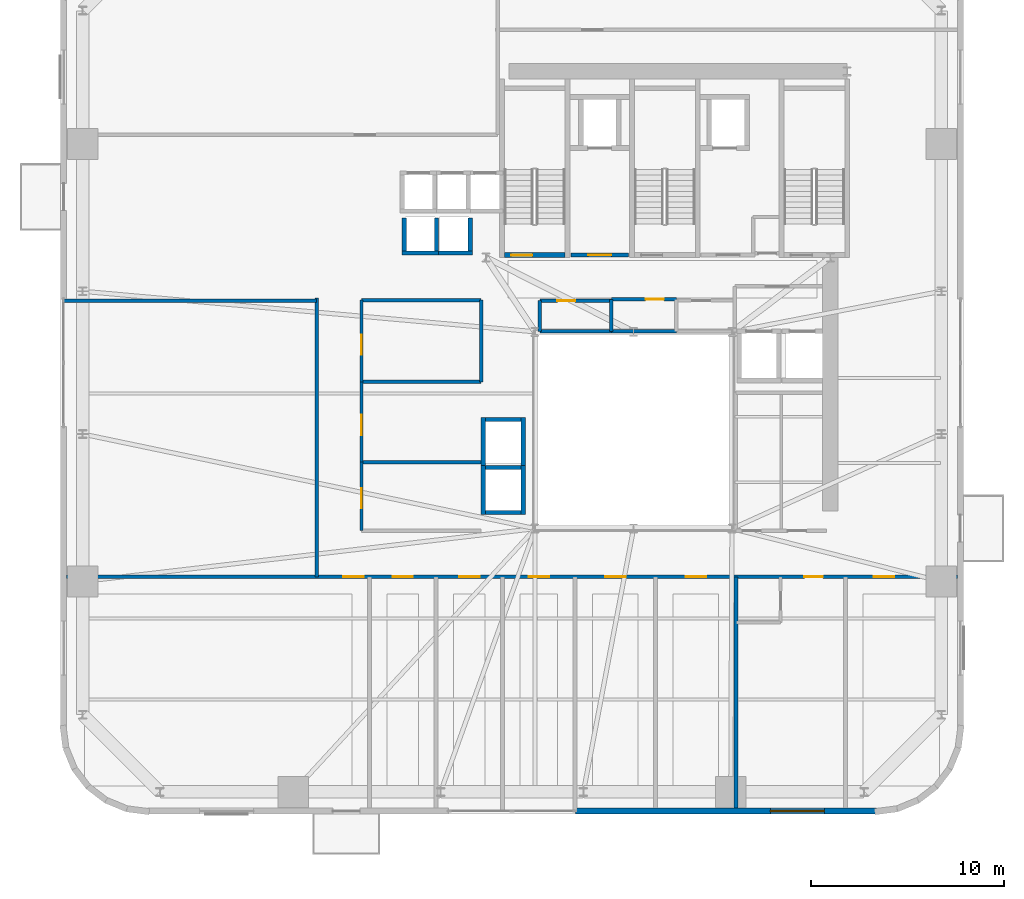
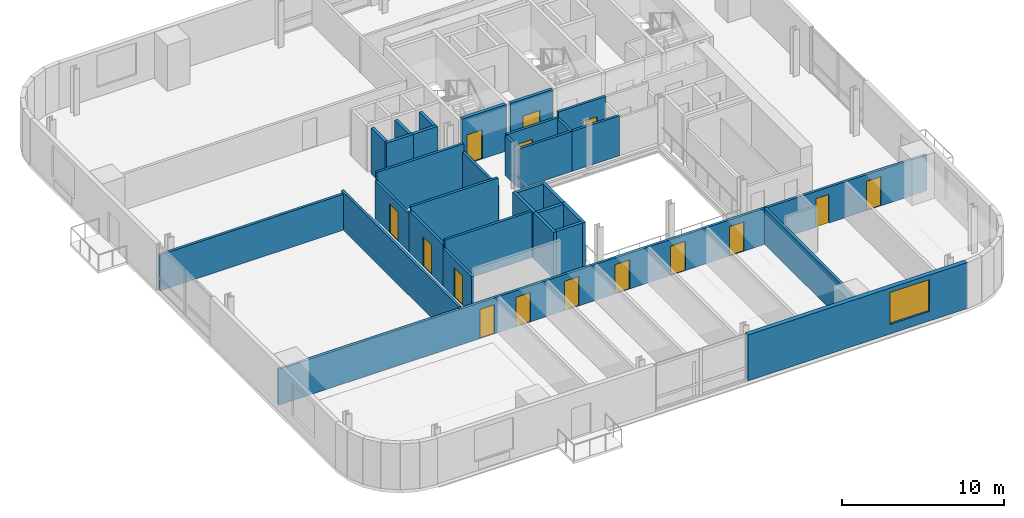
# One storey, part 6 of 14: 32 walls, 15 doors, 1 window, 16 openings.
"""IFC4 building model written with IfcOpenShell, lengths in metres."""

import ifcopenshell
import ifcopenshell.guid

model = None  # the IFC model being written
_history = None  # IfcOwnerHistory: only IFC2X3 demands one
_inside = {}  # id of a spatial element -> (the spatial element, [elements in it])
_under = {}  # id of a project, library or spatial element -> (it, [spatial elements below it])
_declared = {}  # id of a project -> (the project, [libraries it declares])
_typed = {}  # id of a type object -> (the type object, [elements of that type])
_made_of = {}  # id of a material, layer set ... -> (it, [elements and type objects made of it])


def new_model(schema):
    """Start an empty IFC model of exactly this schema.

    Asked for "IFC4X3", IfcOpenShell would pick the latest addendum, in which some entities
    have other attributes; the version numbers below select the first issue.
    IFC2X3 requires an IfcOwnerHistory on every rooted entity: one is made here for all.
    """
    global model, _history
    if schema == "IFC4X3":
        model = ifcopenshell.file(schema_version=(4, 3, 0, 0))
    else:
        model = ifcopenshell.file(schema=schema)
    _inside.clear()
    _under.clear()
    _declared.clear()
    _typed.clear()
    _made_of.clear()
    _history = None
    if model.schema == "IFC2X3":
        org = make("IfcOrganization", Name="unknown")
        user = make(
            "IfcPersonAndOrganization",
            ThePerson=make("IfcPerson", FamilyName="unknown"),
            TheOrganization=org,
        )
        app = make(
            "IfcApplication",
            ApplicationDeveloper=org,
            Version="unknown",
            ApplicationFullName="unknown",
            ApplicationIdentifier="unknown",
        )
        _history = make(
            "IfcOwnerHistory",
            OwningUser=user,
            OwningApplication=app,
            ChangeAction="ADDED",
            CreationDate=0,
        )
    return model


def make(cls, **values):
    """One entity of the class cls with the attributes given. An attribute that is None is left unset."""
    return model.create_entity(
        cls, **{name: value for name, value in values.items() if value is not None}
    )


def rooted(cls, **values):
    """An entity with a GlobalId (a new one), such as an element, a storey or a relation."""
    return make(cls, GlobalId=ifcopenshell.guid.new(), OwnerHistory=_history, **values)


def si_unit(unit_type, name, prefix=None):
    """IfcSIUnit, for example si_unit("LENGTHUNIT", "METRE", prefix="MILLI")."""
    return make("IfcSIUnit", UnitType=unit_type, Prefix=prefix, Name=name)


def assignment(units):
    """IfcUnitAssignment: the units of a project."""
    return None if units is None else make("IfcUnitAssignment", Units=units)


def point(xyz):
    """IfcCartesianPoint."""
    return None if xyz is None else make("IfcCartesianPoint", Coordinates=xyz)


def direction(xyz):
    """IfcDirection."""
    return None if xyz is None else make("IfcDirection", DirectionRatios=xyz)


def frame(location, z_axis=None, x_axis=None):
    """IfcAxis2Placement3D, a coordinate frame: its origin and axes. An axis left out is left unset."""
    return make(
        "IfcAxis2Placement3D",
        Location=point(location),
        Axis=direction(z_axis),
        RefDirection=direction(x_axis),
    )


def frame_2d(location, x_axis=None):
    """IfcAxis2Placement2D, a coordinate frame in the plane: its origin and x axis."""
    return make(
        "IfcAxis2Placement2D", Location=point(location), RefDirection=direction(x_axis)
    )


def origin():
    """The frame at (0, 0, 0) with its axes left unset."""
    return frame((0.0, 0.0, 0.0))


def place(relative_to, where):
    """IfcLocalPlacement: puts the frame where relative to a parent placement (None: the world)."""
    return make(
        "IfcLocalPlacement", PlacementRelTo=relative_to, RelativePlacement=where
    )


def context(
    kind, dimensions, precision=None, world=None, true_north=None, identifier=None
):
    """IfcGeometricRepresentationContext, for example the 3D "Model" context."""
    return make(
        "IfcGeometricRepresentationContext",
        ContextIdentifier=identifier,
        ContextType=kind,
        CoordinateSpaceDimension=dimensions,
        Precision=precision,
        WorldCoordinateSystem=world,
        TrueNorth=true_north,
    )


def subcontext(parent, identifier, kind, view, scale=None):
    """IfcGeometricRepresentationSubContext, for example "Body" below "Model"."""
    return make(
        "IfcGeometricRepresentationSubContext",
        ContextIdentifier=identifier,
        ContextType=kind,
        ParentContext=parent,
        TargetScale=scale,
        TargetView=view,
    )


def project(units=None, contexts=None):
    """IfcProject with its units and contexts."""
    return rooted(
        "IfcProject",
        Name="project",
        RepresentationContexts=contexts,
        UnitsInContext=assignment(units),
    )


def spatial(cls, under=None, at=None, **own):
    """A site, building, storey or space (cls), placed at a placement, below another one or the project."""
    s = rooted(cls, ObjectPlacement=at, **own)
    if under is not None:
        _under.setdefault(under.id(), (under, []))[1].append(s)
    return s


def profile(cls, at=None, kind="AREA", **sizes):
    """A parametric profile (cls). Its sizes go by their IFC names, for example OverallWidth=200.0."""
    return make(cls, ProfileType=kind, Position=at, **sizes)


def rectangle(**sizes):
    """IfcRectangleProfileDef."""
    return profile("IfcRectangleProfileDef", **sizes)


def extrude(swept, where, along, depth):
    """IfcExtrudedAreaSolid: the profile swept, set in the frame where, extruded along a direction by depth."""
    return make(
        "IfcExtrudedAreaSolid",
        SweptArea=swept,
        Position=where,
        ExtrudedDirection=direction(along),
        Depth=depth,
    )


def shape(context_of_items, identifier, shape_type, items):
    """IfcShapeRepresentation: the items that make up one representation, for example the "Body"."""
    return make(
        "IfcShapeRepresentation",
        ContextOfItems=context_of_items,
        RepresentationIdentifier=identifier,
        RepresentationType=shape_type,
        Items=items,
    )


def source(mapping_origin, context_of_items, identifier, shape_type, items):
    """IfcRepresentationMap: a shape defined once, which mapped items show again and again."""
    return make(
        "IfcRepresentationMap",
        MappingOrigin=mapping_origin,
        MappedRepresentation=shape(context_of_items, identifier, shape_type, items),
    )


def transform(
    local_origin,
    x_axis=None,
    y_axis=None,
    z_axis=None,
    scale=None,
    scale2=None,
    scale3=None,
    uniform=True,
):
    """IfcCartesianTransformationOperator3D, or its non-uniform kind. x_axis, y_axis, z_axis: its Axis1, 2, 3."""
    if uniform:
        return make(
            "IfcCartesianTransformationOperator3D",
            Axis1=direction(x_axis),
            Axis2=direction(y_axis),
            LocalOrigin=point(local_origin),
            Scale=scale,
            Axis3=direction(z_axis),
        )
    return make(
        "IfcCartesianTransformationOperator3DnonUniform",
        Axis1=direction(x_axis),
        Axis2=direction(y_axis),
        LocalOrigin=point(local_origin),
        Scale=scale,
        Axis3=direction(z_axis),
        Scale2=scale2,
        Scale3=scale3,
    )


def mapped(mapping_source, mapping_target):
    """IfcMappedItem: shows the shape of a source again, moved by a transform."""
    return make(
        "IfcMappedItem", MappingSource=mapping_source, MappingTarget=mapping_target
    )


def material(Name=None, Category=None):
    """IfcMaterial."""
    return make("IfcMaterial", Name=Name, Category=Category)


def layer(
    of_material, thickness, ventilated=None, Name=None, Category=None, Priority=None
):
    """IfcMaterialLayer: one layer of a wall or slab, of a material (None: an air gap)."""
    return make(
        "IfcMaterialLayer",
        Material=of_material,
        LayerThickness=thickness,
        IsVentilated=ventilated,
        Name=Name,
        Category=Category,
        Priority=Priority,
    )


def layer_set(layers, Name=None):
    """IfcMaterialLayerSet."""
    return make("IfcMaterialLayerSet", MaterialLayers=layers, LayerSetName=Name)


def made_of(thing, what):
    """Note that an element or type object is made of a material, layer set ...; save() writes the relation."""
    if what is not None:
        _made_of.setdefault(what.id(), (what, []))[1].append(thing)
    return thing


def type_object(cls, material=None, **own):
    """A type object (cls), such as IfcWallType, which elements share."""
    return made_of(rooted(cls, **own), material)


def element(
    cls,
    number,
    at=None,
    inside=None,
    cuts=None,
    type_object=None,
    material=None,
    context=None,
    identifier="Body",
    shape_type=None,
    held_by="IfcProductDefinitionShape",
    body=None,
    shapes=None,
    **own,
):
    """One element of the class cls, such as IfcWall. Its Tag is "e" and its number.

    at: its placement. inside: the storey or other place that contains it. cuts: it is an
    opening in that element (IfcRelVoidsElement). A single representation is given by context,
    identifier, shape_type and body (its items); several are given by shapes. held_by: the class
    of the entity that holds the representations. save() writes the other relations.
    """
    e = rooted(cls, Tag="e%d" % number, ObjectPlacement=at, **own)
    if body is not None:
        shapes = [shape(context, identifier, shape_type, body)]
    if shapes is not None:
        e.Representation = make(held_by, Representations=shapes)
    if inside is not None:
        _inside.setdefault(inside.id(), (inside, []))[1].append(e)
    if cuts is not None:
        rooted(
            "IfcRelVoidsElement", RelatingBuildingElement=cuts, RelatedOpeningElement=e
        )
    if type_object is not None:
        _typed.setdefault(type_object.id(), (type_object, []))[1].append(e)
    return made_of(e, material)


def fill(opening, filler):
    """IfcRelFillsElement: the door or window that sits in an opening."""
    return rooted(
        "IfcRelFillsElement",
        RelatingOpeningElement=opening,
        RelatedBuildingElement=filler,
    )


def aggregate(whole, parts):
    """IfcRelAggregates: a whole, such as a stair, and the parts it consists of."""
    return rooted("IfcRelAggregates", RelatingObject=whole, RelatedObjects=parts)


def save(model, path):
    """Write the relations noted so far, then the file.

    IfcRelAggregates (storeys below a building ...), IfcRelContainedInSpatialStructure (elements
    in a storey), IfcRelDefinesByType, IfcRelAssociatesMaterial and IfcRelDeclares: one each for
    every whole, place, type object, material and project.
    """
    for whole, parts in _under.values():
        aggregate(whole, parts)
    for where, things in _inside.values():
        rooted(
            "IfcRelContainedInSpatialStructure",
            RelatedElements=things,
            RelatingStructure=where,
        )
    for kind, things in _typed.values():
        rooted("IfcRelDefinesByType", RelatedObjects=things, RelatingType=kind)
    for what, things in _made_of.values():
        rooted("IfcRelAssociatesMaterial", RelatedObjects=things, RelatingMaterial=what)
    for by, libraries in _declared.values():
        rooted("IfcRelDeclares", RelatingContext=by, RelatedDefinitions=libraries)
    model.write(path)


model = new_model("IFC4")

# Units and contexts
model_context = context("Model", 3, precision=1e-05, world=origin(), true_north=direction((0.0, 1.0)))
body_context = subcontext(model_context, "Body", "Model", "MODEL_VIEW")
ifc_project = project(units=[si_unit("LENGTHUNIT", "METRE"), si_unit("AREAUNIT", "SQUARE_METRE"), si_unit("VOLUMEUNIT", "CUBIC_METRE"), si_unit("PLANEANGLEUNIT", "RADIAN"), si_unit("MASSUNIT", "GRAM", prefix="KILO")], contexts=[model_context])

# Site, building, storey
site_placement = place(None, origin())
site = spatial("IfcSite", under=ifc_project, at=site_placement, CompositionType="ELEMENT")
building_placement = place(site_placement, origin())
building = spatial("IfcBuilding", under=site, at=building_placement, Name="Vardaveli Station Tower", CompositionType="ELEMENT")
storey_placement = place(building_placement, frame((0.0, 0.0, 126.10009765625)))
storey = spatial("IfcBuildingStorey", under=building, at=storey_placement, Name="L32", CompositionType="ELEMENT", Elevation=126.10009765625)

# Wall, opening, window
ifc_material_1 = material(Name="Precast concrete C45/55", Category="concrete")
ifc_layer_1 = layer(ifc_material_1, 0.320068359375, Name="Precast concrete C45/55")
ifc_layer_set_1 = layer_set([ifc_layer_1], Name="Precast concrete C45/55")
wall_type_1 = type_object("IfcWallType", Name="WAL-EXT-STONE-320", PredefinedType="SOLIDWALL", material=ifc_layer_set_1)
shared_shape_1 = source(origin(), body_context, "Body", "SweptSolid", [
    extrude(rectangle(XDim=15.599853515625, YDim=0.320068359375, at=frame_2d((7.7998046875, 0.0))), origin(), (0.0, 0.0, 1.0), 3.4599609375),
])
wall_1_placement = place(storey_placement, frame((33.300048828125, 1.9599609375, 0.0), z_axis=(0.0, 0.0, 1.0), x_axis=(1.0, 0.0, 0.0)))
wall_1 = element("IfcWall", 1, at=wall_1_placement, inside=storey, type_object=wall_type_1, Name="EW-L32-S2", PredefinedType="SOLIDWALL", context=body_context, shape_type="MappedRepresentation", body=[
    mapped(shared_shape_1, transform((0.0, 0.0, 0.0), scale=1.0)),
])
shared_shape_2 = source(origin(), body_context, "Body", "SweptSolid", [
    extrude(rectangle(XDim=2.800048828125, YDim=2.39990234375, at=frame_2d((1.39990234375, 1.199951171875))), frame((0.0, 0.169921875, 0.0), z_axis=(0.0, -1.0, 0.0), x_axis=(1.0, 0.0, 0.0)), (0.0, 0.0, 1.0), 0.340087890625),
])
opening_1_placement = place(wall_1_placement, frame((10.094970703125, 0.0, 0.719970703125)))
opening_1 = element("IfcOpeningElement", 2, at=opening_1_placement, cuts=wall_1, Name="Opening W-04", PredefinedType="OPENING", context=body_context, shape_type="MappedRepresentation", body=[
    mapped(shared_shape_2, transform((0.0, 0.0, 0.0), scale=1.0)),
])
ifc_material_2 = material(Name="Low-E solar-control glass", Category="glass")
window_type = type_object("IfcWindowType", Name="WIN-SUITE-2800x2400", PartitioningType="SINGLE_PANEL", PredefinedType="WINDOW", material=ifc_material_2)
shared_shape_3 = source(origin(), body_context, "Body", "SweptSolid", [
    extrude(rectangle(XDim=2.800048828125, YDim=2.39990234375, at=frame_2d((1.39990234375, 1.199951171875))), frame((0.0, 0.030029296875, 0.0), z_axis=(0.0, -1.0, 0.0), x_axis=(1.0, 0.0, 0.0)), (0.0, 0.0, 1.0), 0.06005859375),
])
window_placement = place(opening_1_placement, origin())
window = element("IfcWindow", 3, at=window_placement, inside=storey, type_object=window_type, Name="WN-L32-S2", OverallHeight=2.39990234375, OverallWidth=2.800048828125, PartitioningType="SINGLE_PANEL", PredefinedType="WINDOW", context=body_context, shape_type="MappedRepresentation", body=[
    mapped(shared_shape_3, transform((0.0, 0.0, 0.0), scale=1.0)),
])
fill(opening_1, window)

# Wall, opening, door
ifc_material_3 = material(Name="Concrete C40/50", Category="concrete")
ifc_layer_2 = layer(ifc_material_3, 0.25, Name="Concrete C40/50")
ifc_layer_set_2 = layer_set([ifc_layer_2], Name="Concrete C40/50")
wall_type_2 = type_object("IfcWallType", Name="WAL-SHAFT-250", PredefinedType="SOLIDWALL", material=ifc_layer_set_2)
shared_shape_4 = source(origin(), body_context, "Body", "SweptSolid", [
    extrude(rectangle(XDim=3.14990234375, YDim=0.25, at=frame_2d((1.574951171875, 0.0))), origin(), (0.0, 0.0, 1.0), 3.5),
])
wall_2_placement = place(storey_placement, frame((29.60009765625, 30.77490234375, 0.0), z_axis=(0.0, 0.0, 1.0), x_axis=(1.0, 0.0, 0.0)))
wall_2 = element("IfcWall", 4, at=wall_2_placement, inside=storey, type_object=wall_type_2, Name="W-L32-ST-1S", PredefinedType="SOLIDWALL", context=body_context, shape_type="MappedRepresentation", body=[
    mapped(shared_shape_4, transform((0.0, 0.0, 0.0), scale=1.0)),
])
shared_shape_5 = source(origin(), body_context, "Body", "SweptSolid", [
    extrude(rectangle(XDim=1.10009765625, YDim=2.199951171875, at=frame_2d((0.550048828125, 1.10009765625))), frame((0.0, 0.135009765625, 0.0), z_axis=(0.0, -1.0, 0.0), x_axis=(1.0, 0.0, 0.0)), (0.0, 0.0, 1.0), 0.27001953125),
])
opening_2_placement = place(wall_2_placement, frame((0.35009765625, 0.0, 0.0)))
opening_2 = element("IfcOpeningElement", 5, at=opening_2_placement, cuts=wall_2, Name="Opening D-04", PredefinedType="OPENING", context=body_context, shape_type="MappedRepresentation", body=[
    mapped(shared_shape_5, transform((0.0, 0.0, 0.0), scale=1.0)),
])
ifc_material_4 = material(Name="Steel smokeproof fire doorset", Category="steel")
door_type_1 = type_object("IfcDoorType", Name="DR-ST-1100x2200", OperationType="NOTDEFINED", PredefinedType="DOOR", material=ifc_material_4)
shared_shape_6 = source(origin(), body_context, "Body", "SweptSolid", [
    extrude(rectangle(XDim=1.10009765625, YDim=2.199951171875, at=frame_2d((0.550048828125, 1.10009765625))), frame((0.0, 0.02490234375, 0.0), z_axis=(0.0, -1.0, 0.0), x_axis=(1.0, 0.0, 0.0)), (0.0, 0.0, 1.0), 0.050048828125),
])
door_1_placement = place(opening_2_placement, origin())
door_1 = element("IfcDoor", 6, at=door_1_placement, inside=storey, type_object=door_type_1, Name="DST-1-L32", OperationType="SINGLE_SWING_LEFT", OverallHeight=2.199951171875, OverallWidth=1.10009765625, PredefinedType="DOOR", context=body_context, shape_type="MappedRepresentation", body=[
    mapped(shared_shape_6, transform((0.0, 0.0, 0.0), scale=1.0)),
])
fill(opening_2, door_1)

ifc_layer_3 = layer(ifc_material_3, 0.219970703125, Name="Concrete C40/50")
ifc_layer_set_3 = layer_set([ifc_layer_3], Name="Concrete C40/50")
wall_type_3 = type_object("IfcWallType", Name="WAL-FFLOBBY-220", PredefinedType="SOLIDWALL", material=ifc_layer_set_3)
shared_shape_7 = source(origin(), body_context, "Body", "SweptSolid", [
    extrude(rectangle(XDim=3.0, YDim=0.219970703125, at=frame_2d((1.5, 0.0))), origin(), (0.0, 0.0, 1.0), 3.4599609375),
])
wall_3_placement = place(storey_placement, frame((33.050048828125, 30.780029296875, 0.0), z_axis=(0.0, 0.0, 1.0), x_axis=(1.0, 0.0, 0.0)))
wall_3 = element("IfcWall", 7, at=wall_3_placement, inside=storey, type_object=wall_type_3, Name="W-L32-FFL1S", PredefinedType="SOLIDWALL", context=body_context, shape_type="MappedRepresentation", body=[
    mapped(shared_shape_7, transform((0.0, 0.0, 0.0), scale=1.0)),
])
shared_shape_8 = source(origin(), body_context, "Body", "SweptSolid", [
    extrude(rectangle(XDim=1.199951171875, YDim=2.199951171875, at=frame_2d((0.60009765625, 1.10009765625))), frame((0.0, 0.1201171875, 0.0), z_axis=(0.0, -1.0, 0.0), x_axis=(1.0, 0.0, 0.0)), (0.0, 0.0, 1.0), 0.239990234375),
])
opening_3_placement = place(wall_3_placement, frame((0.89990234375, 0.0, 0.0)))
opening_3 = element("IfcOpeningElement", 8, at=opening_3_placement, cuts=wall_3, Name="Opening D-03", PredefinedType="OPENING", context=body_context, shape_type="MappedRepresentation", body=[
    mapped(shared_shape_8, transform((0.0, 0.0, 0.0), scale=1.0)),
])
door_type_2 = type_object("IfcDoorType", Name="DR-FFL-1200x2200", OperationType="NOTDEFINED", PredefinedType="DOOR", material=ifc_material_4)
shared_shape_9 = source(origin(), body_context, "Body", "SweptSolid", [
    extrude(rectangle(XDim=1.199951171875, YDim=2.199951171875, at=frame_2d((0.60009765625, 1.10009765625))), frame((0.0, 0.02490234375, 0.0), z_axis=(0.0, -1.0, 0.0), x_axis=(1.0, 0.0, 0.0)), (0.0, 0.0, 1.0), 0.050048828125),
])
door_2_placement = place(opening_3_placement, origin())
door_2 = element("IfcDoor", 9, at=door_2_placement, inside=storey, type_object=door_type_2, Name="DFFL1-L32", OperationType="SINGLE_SWING_LEFT", OverallHeight=2.199951171875, OverallWidth=1.199951171875, PredefinedType="DOOR", context=body_context, shape_type="MappedRepresentation", body=[
    mapped(shared_shape_9, transform((0.0, 0.0, 0.0), scale=1.0)),
])
fill(opening_3, door_2)

# Walls
shared_shape_10 = source(origin(), body_context, "Body", "SweptSolid", [
    extrude(rectangle(XDim=1.89013671875, YDim=0.219970703125, at=frame_2d((0.945068359375, 0.0))), origin(), (0.0, 0.0, 1.0), 3.4599609375),
])
for number, where, z_axis, x_axis, name in (
    (10, (24.304931640625, 30.889892578125, 0.0), (0.0, 0.0, 1.0), (1.0, 0.0, 0.0), "SHW-SHU-01-L32-S"),
    (11, (26.054931640625, 30.889892578125, 0.0), (0.0, 0.0, 1.0), (1.0, 0.0, 0.0), "SHW-SHU-02-L32-S"),
):
    element("IfcWall", number, at=place(storey_placement, frame(where, z_axis=z_axis, x_axis=x_axis)), inside=storey, type_object=wall_type_3, Name=name, PredefinedType="SOLIDWALL", context=body_context, shape_type="MappedRepresentation", body=[
        mapped(shared_shape_10, transform((0.0, 0.0, 0.0), scale=1.0)),
    ])
shared_shape_11 = source(origin(), body_context, "Body", "SweptSolid", [
    extrude(rectangle(XDim=1.699951171875, YDim=0.219970703125, at=frame_2d((0.85009765625, 0.0))), origin(), (0.0, 0.0, 1.0), 3.4599609375),
])
for number, where, z_axis, x_axis, name in (
    (12, (24.4150390625, 31.0, 0.0), (0.0, 0.0, 1.0), (0.0, 1.0, 0.0), "SHW-SHU-01-L32-W"),
    (13, (26.0849609375, 31.0, 0.0), (0.0, 0.0, 1.0), (0.0, 1.0, 0.0), "SHW-SHU-01-L32-E"),
    (14, (27.8349609375, 31.0, 0.0), (0.0, 0.0, 1.0), (0.0, 1.0, 0.0), "SHW-SHU-02-L32-E"),
):
    element("IfcWall", number, at=place(storey_placement, frame(where, z_axis=z_axis, x_axis=x_axis)), inside=storey, type_object=wall_type_3, Name=name, PredefinedType="SOLIDWALL", context=body_context, shape_type="MappedRepresentation", body=[
        mapped(shared_shape_11, transform((0.0, 0.0, 0.0), scale=1.0)),
    ])
shared_shape_12 = source(origin(), body_context, "Body", "SweptSolid", [
    extrude(rectangle(XDim=1.85009765625, YDim=0.219970703125, at=frame_2d((0.925048828125, 0.0))), origin(), (0.0, 0.0, 1.0), 3.4599609375),
])
for number, where, z_axis, x_axis, name in (
    (15, (28.625, 17.43994140625, 0.0), (0.0, 0.0, 1.0), (1.0, 0.0, 0.0), "SHW-OBS-01-L32-S"),
    (16, (28.625, 19.760009765625, 0.0), (0.0, 0.0, 1.0), (1.0, 0.0, 0.0), "SHW-OBS-01-L32-N"),
    (17, (28.625, 22.260009765625, 0.0), (0.0, 0.0, 1.0), (1.0, 0.0, 0.0), "SHW-OBS-02-L32-N"),
):
    element("IfcWall", number, at=place(storey_placement, frame(where, z_axis=z_axis, x_axis=x_axis)), inside=storey, type_object=wall_type_3, Name=name, PredefinedType="SOLIDWALL", context=body_context, shape_type="MappedRepresentation", body=[
        mapped(shared_shape_12, transform((0.0, 0.0, 0.0), scale=1.0)),
    ])
shared_shape_13 = source(origin(), body_context, "Body", "SweptSolid", [
    extrude(rectangle(XDim=2.5400390625, YDim=0.219970703125, at=frame_2d((1.27001953125, 0.0))), origin(), (0.0, 0.0, 1.0), 3.4599609375),
])
for number, where, z_axis, x_axis, name in (
    (18, (28.514892578125, 17.330078125, 0.0), (0.0, 0.0, 1.0), (0.0, 1.0, 0.0), "SHW-OBS-01-L32-W"),
    (19, (30.5849609375, 17.330078125, 0.0), (0.0, 0.0, 1.0), (0.0, 1.0, 0.0), "SHW-OBS-01-L32-E"),
    (20, (28.514892578125, 19.830078125, 0.0), (0.0, 0.0, 1.0), (0.0, 1.0, 0.0), "SHW-OBS-02-L32-W"),
    (21, (30.5849609375, 19.830078125, 0.0), (0.0, 0.0, 1.0), (0.0, 1.0, 0.0), "SHW-OBS-02-L32-E"),
):
    element("IfcWall", number, at=place(storey_placement, frame(where, z_axis=z_axis, x_axis=x_axis)), inside=storey, type_object=wall_type_3, Name=name, PredefinedType="SOLIDWALL", context=body_context, shape_type="MappedRepresentation", body=[
        mapped(shared_shape_13, transform((0.0, 0.0, 0.0), scale=1.0)),
    ])

# Wall, openings, doors
ifc_material_5 = material(Name="Fire-rated gypsum stud partition")
ifc_layer_4 = layer(ifc_material_5, 0.179931640625, Name="Fire-rated gypsum stud partition")
ifc_layer_set_4 = layer_set([ifc_layer_4], Name="Fire-rated gypsum stud partition")
wall_type_4 = type_object("IfcWallType", Name="WAL-CORR-180", PredefinedType="PARTITIONING", material=ifc_layer_set_4)
shared_shape_14 = source(origin(), body_context, "Body", "SweptSolid", [
    extrude(rectangle(XDim=46.15576171875, YDim=0.179931640625, at=frame_2d((23.077880859375, 0.0))), origin(), (0.0, 0.0, 1.0), 2.701904296875),
])
wall_4_placement = place(storey_placement, frame((6.922119140625, 14.10009765625, 0.0), z_axis=(0.0, 0.0, 1.0), x_axis=(1.0, 0.0, 0.0)))
wall_4 = element("IfcWall", 22, at=wall_4_placement, inside=storey, type_object=wall_type_4, Name="W-L32-CS", PredefinedType="PARTITIONING", context=body_context, shape_type="MappedRepresentation", body=[
    mapped(shared_shape_14, transform((0.0, 0.0, 0.0), scale=1.0)),
])
shared_shape_15 = source(origin(), body_context, "Body", "SweptSolid", [
    extrude(rectangle(XDim=1.050048828125, YDim=2.199951171875, at=frame_2d((0.52490234375, 1.10009765625))), frame((0.0, 0.10009765625, 0.0), z_axis=(0.0, -1.0, 0.0), x_axis=(1.0, 0.0, 0.0)), (0.0, 0.0, 1.0), 0.199951171875),
])
opening_4_placement = place(wall_4_placement, frame((14.33837890625, 0.0, 0.0)))
opening_4 = element("IfcOpeningElement", 23, at=opening_4_placement, cuts=wall_4, Name="Opening D-05", PredefinedType="OPENING", context=body_context, shape_type="MappedRepresentation", body=[
    mapped(shared_shape_15, transform((0.0, 0.0, 0.0), scale=1.0)),
])
opening_5_placement = place(wall_4_placement, frame((16.893310546875, 0.0, 0.0)))
opening_5 = element("IfcOpeningElement", 24, at=opening_5_placement, cuts=wall_4, Name="Opening D-05", PredefinedType="OPENING", context=body_context, shape_type="MappedRepresentation", body=[
    mapped(shared_shape_15, transform((0.0, 0.0, 0.0), scale=1.0)),
])
opening_6_placement = place(wall_4_placement, frame((20.343505859375, 0.0, 0.0)))
opening_6 = element("IfcOpeningElement", 25, at=opening_6_placement, cuts=wall_4, Name="Opening D-05", PredefinedType="OPENING", context=body_context, shape_type="MappedRepresentation", body=[
    mapped(shared_shape_15, transform((0.0, 0.0, 0.0), scale=1.0)),
])
opening_7_placement = place(wall_4_placement, frame((23.947509765625, 0.0, 0.0)))
opening_7 = element("IfcOpeningElement", 26, at=opening_7_placement, cuts=wall_4, Name="Opening D-05", PredefinedType="OPENING", context=body_context, shape_type="MappedRepresentation", body=[
    mapped(shared_shape_15, transform((0.0, 0.0, 0.0), scale=1.0)),
])
opening_8_placement = place(wall_4_placement, frame((27.9130859375, 0.0, 0.0)))
opening_8 = element("IfcOpeningElement", 27, at=opening_8_placement, cuts=wall_4, Name="Opening D-05", PredefinedType="OPENING", context=body_context, shape_type="MappedRepresentation", body=[
    mapped(shared_shape_15, transform((0.0, 0.0, 0.0), scale=1.0)),
])
opening_9_placement = place(wall_4_placement, frame((32.086181640625, 0.0, 0.0)))
opening_9 = element("IfcOpeningElement", 28, at=opening_9_placement, cuts=wall_4, Name="Opening D-05", PredefinedType="OPENING", context=body_context, shape_type="MappedRepresentation", body=[
    mapped(shared_shape_15, transform((0.0, 0.0, 0.0), scale=1.0)),
])
shared_shape_16 = source(origin(), body_context, "Body", "SweptSolid", [
    extrude(rectangle(XDim=0.949951171875, YDim=2.14990234375, at=frame_2d((0.47509765625, 1.074951171875))), frame((0.0, 0.10009765625, 0.0), z_axis=(0.0, -1.0, 0.0), x_axis=(1.0, 0.0, 0.0)), (0.0, 0.0, 1.0), 0.199951171875),
])
opening_10_placement = place(wall_4_placement, frame((38.23388671875, 0.0, 0.0)))
opening_10 = element("IfcOpeningElement", 29, at=opening_10_placement, cuts=wall_4, Name="Opening D-06", PredefinedType="OPENING", context=body_context, shape_type="MappedRepresentation", body=[
    mapped(shared_shape_16, transform((0.0, 0.0, 0.0), scale=1.0)),
])
opening_11_placement = place(wall_4_placement, frame((41.827880859375, 0.0, 0.0)))
opening_11 = element("IfcOpeningElement", 30, at=opening_11_placement, cuts=wall_4, Name="Opening D-05", PredefinedType="OPENING", context=body_context, shape_type="MappedRepresentation", body=[
    mapped(shared_shape_15, transform((0.0, 0.0, 0.0), scale=1.0)),
])
ifc_material_6 = material(Name="Walnut veneer acoustic fire door")
door_type_3 = type_object("IfcDoorType", Name="DR-SUITE-1050x2200", OperationType="NOTDEFINED", PredefinedType="DOOR", material=ifc_material_6)
shared_shape_17 = source(origin(), body_context, "Body", "SweptSolid", [
    extrude(rectangle(XDim=1.050048828125, YDim=2.199951171875, at=frame_2d((0.52490234375, 1.10009765625))), frame((0.0, 0.02490234375, 0.0), z_axis=(0.0, -1.0, 0.0), x_axis=(1.0, 0.0, 0.0)), (0.0, 0.0, 1.0), 0.050048828125),
])
door_3_placement = place(opening_4_placement, origin())
door_3 = element("IfcDoor", 31, at=door_3_placement, inside=storey, type_object=door_type_3, Name="D-L32-SA1", OperationType="SINGLE_SWING_RIGHT", OverallHeight=2.199951171875, OverallWidth=1.050048828125, PredefinedType="DOOR", context=body_context, shape_type="MappedRepresentation", body=[
    mapped(shared_shape_17, transform((0.0, 0.0, 0.0), scale=1.0)),
])
fill(opening_4, door_3)
door_4_placement = place(opening_5_placement, origin())
door_4 = element("IfcDoor", 32, at=door_4_placement, inside=storey, type_object=door_type_3, Name="D-L32-SA2", OperationType="SINGLE_SWING_LEFT", OverallHeight=2.199951171875, OverallWidth=1.050048828125, PredefinedType="DOOR", context=body_context, shape_type="MappedRepresentation", body=[
    mapped(shared_shape_17, transform((0.0, 0.0, 0.0), scale=1.0)),
])
fill(opening_5, door_4)
door_5_placement = place(opening_6_placement, origin())
door_5 = element("IfcDoor", 33, at=door_5_placement, inside=storey, type_object=door_type_3, Name="D-L32-SA3", OperationType="SINGLE_SWING_RIGHT", OverallHeight=2.199951171875, OverallWidth=1.050048828125, PredefinedType="DOOR", context=body_context, shape_type="MappedRepresentation", body=[
    mapped(shared_shape_17, transform((0.0, 0.0, 0.0), scale=1.0)),
])
fill(opening_6, door_5)
door_6_placement = place(opening_7_placement, origin())
door_6 = element("IfcDoor", 34, at=door_6_placement, inside=storey, type_object=door_type_3, Name="D-L32-SA4", OperationType="SINGLE_SWING_LEFT", OverallHeight=2.199951171875, OverallWidth=1.050048828125, PredefinedType="DOOR", context=body_context, shape_type="MappedRepresentation", body=[
    mapped(shared_shape_17, transform((0.0, 0.0, 0.0), scale=1.0)),
])
fill(opening_7, door_6)
door_7_placement = place(opening_8_placement, origin())
door_7 = element("IfcDoor", 35, at=door_7_placement, inside=storey, type_object=door_type_3, Name="D-L32-SA5", OperationType="SINGLE_SWING_RIGHT", OverallHeight=2.199951171875, OverallWidth=1.050048828125, PredefinedType="DOOR", context=body_context, shape_type="MappedRepresentation", body=[
    mapped(shared_shape_17, transform((0.0, 0.0, 0.0), scale=1.0)),
])
fill(opening_8, door_7)
door_8_placement = place(opening_9_placement, origin())
door_8 = element("IfcDoor", 36, at=door_8_placement, inside=storey, type_object=door_type_3, Name="D-L32-SA6", OperationType="SINGLE_SWING_LEFT", OverallHeight=2.199951171875, OverallWidth=1.050048828125, PredefinedType="DOOR", context=body_context, shape_type="MappedRepresentation", body=[
    mapped(shared_shape_17, transform((0.0, 0.0, 0.0), scale=1.0)),
])
fill(opening_9, door_8)
door_9_placement = place(opening_11_placement, origin())
door_9 = element("IfcDoor", 37, at=door_9_placement, inside=storey, type_object=door_type_3, Name="D-L32-SA8", OperationType="SINGLE_SWING_LEFT", OverallHeight=2.199951171875, OverallWidth=1.050048828125, PredefinedType="DOOR", context=body_context, shape_type="MappedRepresentation", body=[
    mapped(shared_shape_17, transform((0.0, 0.0, 0.0), scale=1.0)),
])
fill(opening_11, door_9)
ifc_material_7 = material(Name="Oak veneer acoustic fire door")
door_type_4 = type_object("IfcDoorType", Name="DR-GUEST-950x2150", OperationType="NOTDEFINED", PredefinedType="DOOR", material=ifc_material_7)
shared_shape_18 = source(origin(), body_context, "Body", "SweptSolid", [
    extrude(rectangle(XDim=0.949951171875, YDim=2.14990234375, at=frame_2d((0.47509765625, 1.074951171875))), frame((0.0, 0.02490234375, 0.0), z_axis=(0.0, -1.0, 0.0), x_axis=(1.0, 0.0, 0.0)), (0.0, 0.0, 1.0), 0.050048828125),
])
door_10_placement = place(opening_10_placement, origin())
door_10 = element("IfcDoor", 38, at=door_10_placement, inside=storey, type_object=door_type_4, Name="D-L32-GS7", OperationType="SINGLE_SWING_RIGHT", OverallHeight=2.14990234375, OverallWidth=0.949951171875, PredefinedType="DOOR", context=body_context, shape_type="MappedRepresentation", body=[
    mapped(shared_shape_18, transform((0.0, 0.0, 0.0), scale=1.0)),
])
fill(opening_10, door_10)

# Wall, opening, door
shared_shape_19 = source(origin(), body_context, "Body", "SweptSolid", [
    extrude(rectangle(XDim=3.3701171875, YDim=0.179931640625, at=frame_2d((1.68505859375, 0.0))), origin(), (0.0, 0.0, 1.0), 3.4599609375),
])
wall_5_placement = place(storey_placement, frame((35.14990234375, 28.47998046875, 0.0), z_axis=(0.0, 0.0, 1.0), x_axis=(1.0, 0.0, 0.0)))
wall_5 = element("IfcWall", 39, at=wall_5_placement, inside=storey, type_object=wall_type_4, Name="W-L32-HKP2-N", PredefinedType="PARTITIONING", context=body_context, shape_type="MappedRepresentation", body=[
    mapped(shared_shape_19, transform((0.0, 0.0, 0.0), scale=1.0)),
])
opening_12_placement = place(wall_5_placement, frame((1.77490234375, 0.0, 0.0)))
opening_12 = element("IfcOpeningElement", 40, at=opening_12_placement, cuts=wall_5, Name="Opening D-06", PredefinedType="OPENING", context=body_context, shape_type="MappedRepresentation", body=[
    mapped(shared_shape_16, transform((0.0, 0.0, 0.0), scale=1.0)),
])
door_11_placement = place(opening_12_placement, origin())
door_11 = element("IfcDoor", 41, at=door_11_placement, inside=storey, type_object=door_type_4, Name="D-L32-HKP", OperationType="SINGLE_SWING_LEFT", OverallHeight=2.14990234375, OverallWidth=0.949951171875, PredefinedType="DOOR", context=body_context, shape_type="MappedRepresentation", body=[
    mapped(shared_shape_18, transform((0.0, 0.0, 0.0), scale=1.0)),
])
fill(opening_12, door_11)

# Walls
shared_shape_20 = source(origin(), body_context, "Body", "SweptSolid", [
    extrude(rectangle(XDim=3.699951171875, YDim=0.179931640625, at=frame_2d((1.85009765625, 0.0))), origin(), (0.0, 0.0, 1.0), 3.001953125),
])
wall_6_placement = place(storey_placement, frame((31.449951171875, 26.820068359375, 0.0), z_axis=(0.0, 0.0, 1.0), x_axis=(1.0, 0.0, 0.0)))
element("IfcWall", 42, at=wall_6_placement, inside=storey, type_object=wall_type_4, Name="W-L32-CS2A-S", PredefinedType="PARTITIONING", context=body_context, shape_type="MappedRepresentation", body=[
    mapped(shared_shape_20, transform((0.0, 0.0, 0.0), scale=1.0)),
])
shared_shape_21 = source(origin(), body_context, "Body", "SweptSolid", [
    extrude(rectangle(XDim=3.3701171875, YDim=0.179931640625, at=frame_2d((1.68505859375, 0.0))), origin(), (0.0, 0.0, 1.0), 3.001953125),
])
wall_7_placement = place(storey_placement, frame((35.14990234375, 26.820068359375, 0.0), z_axis=(0.0, 0.0, 1.0), x_axis=(1.0, 0.0, 0.0)))
element("IfcWall", 43, at=wall_7_placement, inside=storey, type_object=wall_type_4, Name="W-L32-HKP2-S", PredefinedType="PARTITIONING", context=body_context, shape_type="MappedRepresentation", body=[
    mapped(shared_shape_21, transform((0.0, 0.0, 0.0), scale=1.0)),
])
shared_shape_22 = source(origin(), body_context, "Body", "SweptSolid", [
    extrude(rectangle(XDim=1.659912109375, YDim=0.179931640625, at=frame_2d((0.830078125, 0.0))), origin(), (0.0, 0.0, 1.0), 3.001953125),
])
wall_8_placement = place(storey_placement, frame((35.14990234375, 26.820068359375, 0.0), z_axis=(0.0, 0.0, 1.0), x_axis=(0.0, 1.0, 0.0)))
element("IfcWall", 44, at=wall_8_placement, inside=storey, type_object=wall_type_4, Name="W-L32-HKP2-W", PredefinedType="PARTITIONING", context=body_context, shape_type="MappedRepresentation", body=[
    mapped(shared_shape_22, transform((0.0, 0.0, 0.0), scale=1.0)),
])
shared_shape_23 = source(origin(), body_context, "Body", "SweptSolid", [
    extrude(rectangle(XDim=1.599853515625, YDim=0.179931640625, at=frame_2d((0.7998046875, 0.0))), origin(), (0.0, 0.0, 1.0), 3.001953125),
])
wall_9_placement = place(storey_placement, frame((31.449951171875, 26.820068359375, 0.0), z_axis=(0.0, 0.0, 1.0), x_axis=(0.0, 1.0, 0.0)))
element("IfcWall", 45, at=wall_9_placement, inside=storey, type_object=wall_type_4, Name="W-L32-CS2A-W", PredefinedType="PARTITIONING", context=body_context, shape_type="MappedRepresentation", body=[
    mapped(shared_shape_23, transform((0.0, 0.0, 0.0), scale=1.0)),
])

# Wall, opening, door
shared_shape_24 = source(origin(), body_context, "Body", "SweptSolid", [
    extrude(rectangle(XDim=4.239990234375, YDim=0.179931640625, at=frame_2d((2.1201171875, 0.0))), origin(), (0.0, 0.0, 1.0), 2.851806640625),
])
wall_10_placement = place(storey_placement, frame((22.199951171875, 24.199951171875, 0.0), z_axis=(0.0, 0.0, 1.0), x_axis=(0.0, 1.0, 0.0)))
wall_10 = element("IfcWall", 46, at=wall_10_placement, inside=storey, type_object=wall_type_4, Name="W-L32-ATWC-W", PredefinedType="PARTITIONING", context=body_context, shape_type="MappedRepresentation", body=[
    mapped(shared_shape_24, transform((0.0, 0.0, 0.0), scale=1.0)),
])
opening_13_placement = place(wall_10_placement, frame((1.39990234375, 0.0, 0.0)))
opening_13 = element("IfcOpeningElement", 47, at=opening_13_placement, cuts=wall_10, Name="Opening D-05", PredefinedType="OPENING", context=body_context, shape_type="MappedRepresentation", body=[
    mapped(shared_shape_15, transform((0.0, 0.0, 0.0), scale=1.0)),
])
door_12_placement = place(opening_13_placement, origin())
door_12 = element("IfcDoor", 48, at=door_12_placement, inside=storey, type_object=door_type_3, Name="D-L32-ATW3", OperationType="SINGLE_SWING_LEFT", OverallHeight=2.199951171875, OverallWidth=1.050048828125, PredefinedType="DOOR", context=body_context, shape_type="MappedRepresentation", body=[
    mapped(shared_shape_17, transform((0.0, 0.0, 0.0), scale=1.0)),
])
fill(opening_13, door_12)

# Wall
wall_11_placement = place(storey_placement, frame((28.39990234375, 24.199951171875, 0.0), z_axis=(0.0, 0.0, 1.0), x_axis=(0.0, 1.0, 0.0)))
element("IfcWall", 49, at=wall_11_placement, inside=storey, type_object=wall_type_4, Name="W-L32-ATWC-E", PredefinedType="PARTITIONING", context=body_context, shape_type="MappedRepresentation", body=[
    mapped(shared_shape_24, transform((0.0, 0.0, 0.0), scale=1.0)),
])

# Wall, opening, door
shared_shape_25 = source(origin(), body_context, "Body", "SweptSolid", [
    extrude(rectangle(XDim=4.14990234375, YDim=0.179931640625, at=frame_2d((2.074951171875, 0.0))), origin(), (0.0, 0.0, 1.0), 3.121826171875),
])
wall_12_placement = place(storey_placement, frame((22.199951171875, 20.050048828125, 0.0), z_axis=(0.0, 0.0, 1.0), x_axis=(0.0, 1.0, 0.0)))
wall_12 = element("IfcWall", 50, at=wall_12_placement, inside=storey, type_object=wall_type_4, Name="W-L32-ATWB-W", PredefinedType="PARTITIONING", context=body_context, shape_type="MappedRepresentation", body=[
    mapped(shared_shape_25, transform((0.0, 0.0, 0.0), scale=1.0)),
])
opening_14_placement = place(wall_12_placement, frame((1.39990234375, 0.0, 0.0)))
opening_14 = element("IfcOpeningElement", 51, at=opening_14_placement, cuts=wall_12, Name="Opening D-05", PredefinedType="OPENING", context=body_context, shape_type="MappedRepresentation", body=[
    mapped(shared_shape_15, transform((0.0, 0.0, 0.0), scale=1.0)),
])
door_13_placement = place(opening_14_placement, origin())
door_13 = element("IfcDoor", 52, at=door_13_placement, inside=storey, type_object=door_type_3, Name="D-L32-ATW2", OperationType="SINGLE_SWING_RIGHT", OverallHeight=2.199951171875, OverallWidth=1.050048828125, PredefinedType="DOOR", context=body_context, shape_type="MappedRepresentation", body=[
    mapped(shared_shape_17, transform((0.0, 0.0, 0.0), scale=1.0)),
])
fill(opening_14, door_13)

shared_shape_26 = source(origin(), body_context, "Body", "SweptSolid", [
    extrude(rectangle(XDim=3.699951171875, YDim=0.179931640625, at=frame_2d((1.85009765625, 0.0))), origin(), (0.0, 0.0, 1.0), 3.091796875),
])
wall_13_placement = place(storey_placement, frame((31.449951171875, 28.419921875, 0.0), z_axis=(0.0, 0.0, 1.0), x_axis=(1.0, 0.0, 0.0)))
wall_13 = element("IfcWall", 53, at=wall_13_placement, inside=storey, type_object=wall_type_4, Name="W-L32-CS2A-N", PredefinedType="PARTITIONING", context=body_context, shape_type="MappedRepresentation", body=[
    mapped(shared_shape_26, transform((0.0, 0.0, 0.0), scale=1.0)),
])
shared_shape_27 = source(origin(), body_context, "Body", "SweptSolid", [
    extrude(rectangle(XDim=0.919921875, YDim=2.10009765625, at=frame_2d((0.4599609375, 1.050048828125))), frame((0.0, 0.10009765625, 0.0), z_axis=(0.0, -1.0, 0.0), x_axis=(1.0, 0.0, 0.0)), (0.0, 0.0, 1.0), 0.199951171875),
])
opening_15_placement = place(wall_13_placement, frame((0.89990234375, 0.0, 0.0)))
opening_15 = element("IfcOpeningElement", 54, at=opening_15_placement, cuts=wall_13, Name="Opening D-07", PredefinedType="OPENING", context=body_context, shape_type="MappedRepresentation", body=[
    mapped(shared_shape_27, transform((0.0, 0.0, 0.0), scale=1.0)),
])
ifc_material_8 = material(Name="Moisture-resistant hardwood door", Category="wood")
door_type_5 = type_object("IfcDoorType", Name="DR-WC-920x2100", OperationType="NOTDEFINED", PredefinedType="DOOR", material=ifc_material_8)
shared_shape_28 = source(origin(), body_context, "Body", "SweptSolid", [
    extrude(rectangle(XDim=0.919921875, YDim=2.10009765625, at=frame_2d((0.4599609375, 1.050048828125))), frame((0.0, 0.02490234375, 0.0), z_axis=(0.0, -1.0, 0.0), x_axis=(1.0, 0.0, 0.0)), (0.0, 0.0, 1.0), 0.050048828125),
])
door_14_placement = place(opening_15_placement, origin())
door_14 = element("IfcDoor", 55, at=door_14_placement, inside=storey, type_object=door_type_5, Name="D-L32-CS2A", OperationType="SINGLE_SWING_LEFT", OverallHeight=2.10009765625, OverallWidth=0.919921875, PredefinedType="DOOR", context=body_context, shape_type="MappedRepresentation", body=[
    mapped(shared_shape_28, transform((0.0, 0.0, 0.0), scale=1.0)),
])
fill(opening_15, door_14)

shared_shape_29 = source(origin(), body_context, "Body", "SweptSolid", [
    extrude(rectangle(XDim=3.550048828125, YDim=0.179931640625, at=frame_2d((1.77490234375, 0.0))), origin(), (0.0, 0.0, 1.0), 2.851806640625),
])
wall_14_placement = place(storey_placement, frame((22.199951171875, 16.5, 0.0), z_axis=(0.0, 0.0, 1.0), x_axis=(0.0, 1.0, 0.0)))
wall_14 = element("IfcWall", 56, at=wall_14_placement, inside=storey, type_object=wall_type_4, Name="W-L32-ATWA-W", PredefinedType="PARTITIONING", context=body_context, shape_type="MappedRepresentation", body=[
    mapped(shared_shape_29, transform((0.0, 0.0, 0.0), scale=1.0)),
])
opening_16_placement = place(wall_14_placement, frame((1.14990234375, 0.0, 0.0)))
opening_16 = element("IfcOpeningElement", 57, at=opening_16_placement, cuts=wall_14, Name="Opening D-05", PredefinedType="OPENING", context=body_context, shape_type="MappedRepresentation", body=[
    mapped(shared_shape_15, transform((0.0, 0.0, 0.0), scale=1.0)),
])
door_15_placement = place(opening_16_placement, origin())
door_15 = element("IfcDoor", 58, at=door_15_placement, inside=storey, type_object=door_type_3, Name="D-L32-ATW1", OperationType="SINGLE_SWING_RIGHT", OverallHeight=2.199951171875, OverallWidth=1.050048828125, PredefinedType="DOOR", context=body_context, shape_type="MappedRepresentation", body=[
    mapped(shared_shape_17, transform((0.0, 0.0, 0.0), scale=1.0)),
])
fill(opening_16, door_15)

# Walls
shared_shape_30 = source(origin(), body_context, "Body", "SweptSolid", [
    extrude(rectangle(XDim=14.449951171875, YDim=0.179931640625, at=frame_2d((7.22509765625, 0.0))), origin(), (0.0, 0.0, 1.0), 2.851806640625),
])
wall_15_placement = place(storey_placement, frame((19.8798828125, 14.10009765625, 0.0), z_axis=(0.0, 0.0, 1.0), x_axis=(0.0, 1.0, 0.0)))
element("IfcWall", 59, at=wall_15_placement, inside=storey, type_object=wall_type_4, Name="W-L32-CW", PredefinedType="PARTITIONING", context=body_context, shape_type="MappedRepresentation", body=[
    mapped(shared_shape_30, transform((0.0, 0.0, 0.0), scale=1.0)),
])
shared_shape_31 = source(origin(), body_context, "Body", "SweptSolid", [
    extrude(rectangle(XDim=13.14990234375, YDim=0.179931640625, at=frame_2d((6.574951171875, 0.0))), origin(), (0.0, 0.0, 1.0), 2.701904296875),
])
wall_16_placement = place(storey_placement, frame((6.72998046875, 28.39990234375, 0.0), z_axis=(0.0, 0.0, 1.0), x_axis=(1.0, 0.0, 0.0)))
element("IfcWall", 60, at=wall_16_placement, inside=storey, type_object=wall_type_4, Name="W-L32-CWN", PredefinedType="PARTITIONING", context=body_context, shape_type="MappedRepresentation", body=[
    mapped(shared_shape_31, transform((0.0, 0.0, 0.0), scale=1.0)),
])
ifc_material_9 = material(Name="Acoustic twin-stud gypsum partition")
ifc_layer_5 = layer(ifc_material_9, 0.199951171875, Name="Acoustic twin-stud gypsum partition")
ifc_layer_set_5 = layer_set([ifc_layer_5], Name="Acoustic twin-stud gypsum partition")
wall_type_5 = type_object("IfcWallType", Name="WAL-PARTY-200", PredefinedType="PARTITIONING", material=ifc_layer_set_5)
shared_shape_32 = source(origin(), body_context, "Body", "SweptSolid", [
    extrude(rectangle(XDim=11.97802734375, YDim=0.199951171875, at=frame_2d((5.989013671875, 0.0))), origin(), (0.0, 0.0, 1.0), 2.701904296875),
])
wall_17_placement = place(storey_placement, frame((41.614990234375, 2.1220703125, 0.0), z_axis=(0.0, 0.0, 1.0), x_axis=(0.0, 1.0, 0.0)))
element("IfcWall", 61, at=wall_17_placement, inside=storey, type_object=wall_type_5, Name="W-L32-PS6", PredefinedType="PARTITIONING", context=body_context, shape_type="MappedRepresentation", body=[
    mapped(shared_shape_32, transform((0.0, 0.0, 0.0), scale=1.0)),
])
shared_shape_33 = source(origin(), body_context, "Body", "SweptSolid", [
    extrude(rectangle(XDim=6.199951171875, YDim=0.179931640625, at=frame_2d((3.10009765625, 0.0))), origin(), (0.0, 0.0, 1.0), 3.4599609375),
])
for number, where, z_axis, x_axis, name in (
    (62, (22.199951171875, 20.050048828125, 0.0), (0.0, 0.0, 1.0), (1.0, 0.0, 0.0), "W-L32-ATWA-N"),
    (63, (22.199951171875, 24.199951171875, 0.0), (0.0, 0.0, 1.0), (1.0, 0.0, 0.0), "W-L32-ATWB-N"),
    (64, (22.199951171875, 28.43994140625, 0.0), (0.0, 0.0, 1.0), (1.0, 0.0, 0.0), "W-L32-ATWC-N"),
):
    element("IfcWall", number, at=place(storey_placement, frame(where, z_axis=z_axis, x_axis=x_axis)), inside=storey, type_object=wall_type_4, Name=name, PredefinedType="PARTITIONING", context=body_context, shape_type="MappedRepresentation", body=[
        mapped(shared_shape_33, transform((0.0, 0.0, 0.0), scale=1.0)),
    ])

save(model, "model.ifc")
